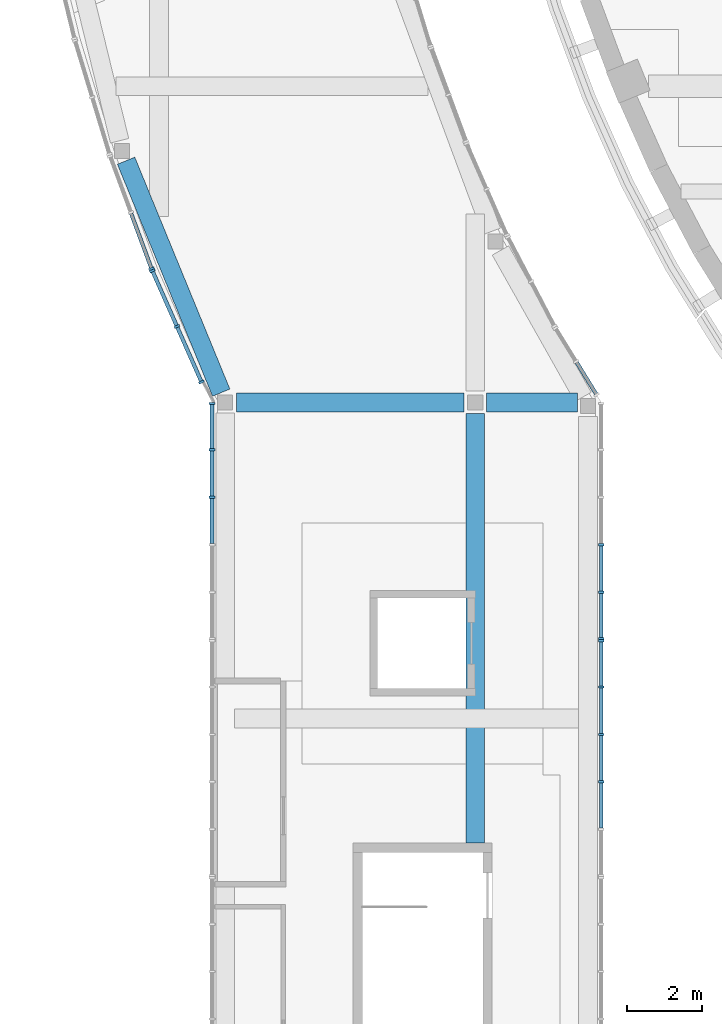
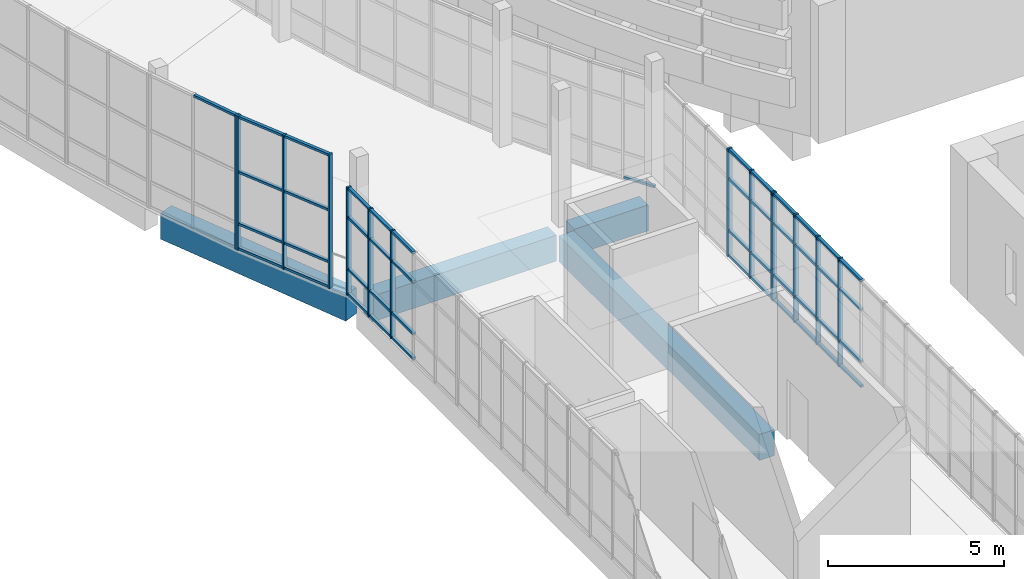
# One storey, part 7 of 103: 60 members, 4 beams, 6 elements without a shape of their own.
"""IFC4 building model written with IfcOpenShell, lengths in metres."""

from ifc_helpers import new_model, si_unit, direction, frame, origin, origin_2d, place, context, subcontext, project, spatial, rectangle, extrude, material, layer, layer_set, material_profile, profile_set, type_object, element, aggregate, save


model = new_model("IFC4")

# Units and contexts
model_context = context("Model", 3, precision=1e-05, world=origin(), true_north=direction((0.0, 1.0)))
body_context = subcontext(model_context, "Body", "Model", "MODEL_VIEW")
ifc_project = project(units=[si_unit("LENGTHUNIT", "METRE"), si_unit("AREAUNIT", "SQUARE_METRE"), si_unit("VOLUMEUNIT", "CUBIC_METRE"), si_unit("PLANEANGLEUNIT", "RADIAN"), si_unit("MASSUNIT", "GRAM", prefix="KILO")], contexts=[model_context])

# Site, building, storey
site_placement = place(None, origin())
site = spatial("IfcSite", under=ifc_project, at=site_placement, CompositionType="ELEMENT")
building_placement = place(site_placement, origin())
building = spatial("IfcBuilding", under=site, at=building_placement, Name="Larchfold Concert Hall", CompositionType="ELEMENT")
storey_placement = place(building_placement, frame((0.0, 0.0, 9.60009765625)))
storey = spatial("IfcBuildingStorey", under=building, at=storey_placement, Name="L02", CompositionType="ELEMENT", Elevation=9.60009765625)

# Curtain wall, member
ifc_material_1 = material(Name="Anodised graphite aluminium curtain wall", Category="aluminium")
ifc_layer = layer(ifc_material_1, 0.14990234375)
ifc_layer_set = layer_set([ifc_layer], Name="Anodised graphite aluminium curtain wall")
curtain_wall_type = type_object("IfcCurtainWallType", Name="Curtain wall WG", PredefinedType="NOTDEFINED", material=ifc_layer_set)
curtain_wall_1_placement = place(storey_placement, origin())
curtain_wall_1 = element("IfcCurtainWall", 1, at=curtain_wall_1_placement, inside=storey, type_object=curtain_wall_type, Name="Curtain wall CW0280", PredefinedType="NOTDEFINED")
ifc_material_2 = material(Name="Anodised graphite aluminium mullion", Category="aluminium")
ifc_material_profile_1 = material_profile(ifc_material_2, rectangle(XDim=0.14990234375, YDim=0.06005859375, at=origin_2d()))
ifc_profile_set_1 = profile_set([ifc_material_profile_1], Name="Anodised graphite aluminium mullion")
member_type_1 = type_object("IfcMemberType", Name="Aluminium mullion 60x150", PredefinedType="MULLION", material=ifc_profile_set_1)
member_1_placement = place(storey_placement, frame((8.80029296875, 62.95068359375, 0.0), z_axis=(0.0, 0.0, 1.0), x_axis=(0.938015232283, 0.346594033425, 0.0)))
member_1 = element("IfcMember", 2, at=member_1_placement, type_object=member_type_1, Name="CW0280 mullion 3", PredefinedType="MULLION", context=body_context, shape_type="SweptSolid", body=[
    extrude(rectangle(XDim=0.14990234375, YDim=0.06005859375, at=origin_2d()), origin(), (0.0, 0.0, 1.0), 4.64990234375),
])

# Curtain wall, members
curtain_wall_2_placement = place(storey_placement, origin())
curtain_wall_2 = element("IfcCurtainWall", 3, at=curtain_wall_2_placement, inside=storey, type_object=curtain_wall_type, Name="Curtain wall CW0281", PredefinedType="NOTDEFINED")
member_2_placement = place(storey_placement, frame((8.822998046875, 62.895263671875, 0.0), z_axis=(0.0, 0.0, 1.0), x_axis=(0.914703196701, 0.404126294549, 0.0)))
member_2 = element("IfcMember", 4, at=member_2_placement, type_object=member_type_1, Name="CW0281 mullion 1", PredefinedType="MULLION", context=body_context, shape_type="SweptSolid", body=[
    extrude(rectangle(XDim=0.14990234375, YDim=0.06005859375, at=origin_2d()), origin(), (0.0, 0.0, 1.0), 4.64990234375),
])
member_3_placement = place(storey_placement, frame((9.475341796875, 61.41845703125, 0.0), z_axis=(0.0, 0.0, 1.0), x_axis=(0.914703196701, 0.404126294549, 0.0)))
member_3 = element("IfcMember", 5, at=member_3_placement, type_object=member_type_1, Name="CW0281 mullion 2", PredefinedType="MULLION", context=body_context, shape_type="SweptSolid", body=[
    extrude(rectangle(XDim=0.14990234375, YDim=0.06005859375, at=origin_2d()), origin(), (0.0, 0.0, 1.0), 4.64990234375),
])
member_4_placement = place(storey_placement, frame((10.127685546875, 59.941650390625, 0.0), z_axis=(0.0, 0.0, 1.0), x_axis=(0.914703196701, 0.404126294549, 0.0)))
member_4 = element("IfcMember", 6, at=member_4_placement, type_object=member_type_1, Name="CW0281 mullion 3", PredefinedType="MULLION", context=body_context, shape_type="SweptSolid", body=[
    extrude(rectangle(XDim=0.14990234375, YDim=0.06005859375, at=origin_2d()), origin(), (0.0, 0.0, 1.0), 4.64990234375),
])

curtain_wall_3_placement = place(storey_placement, origin())
curtain_wall_3 = element("IfcCurtainWall", 7, at=curtain_wall_3_placement, inside=storey, type_object=curtain_wall_type, Name="Curtain wall CW0282", PredefinedType="NOTDEFINED")
member_5_placement = place(storey_placement, frame((10.408447265625, 59.369873046875, 0.0), z_axis=(0.0, 0.0, 1.0), x_axis=(1.0, 0.0, 0.0)))
member_5 = element("IfcMember", 8, at=member_5_placement, type_object=member_type_1, Name="CW0282 mullion 1", PredefinedType="MULLION", context=body_context, shape_type="SweptSolid", body=[
    extrude(rectangle(XDim=0.14990234375, YDim=0.06005859375, at=origin_2d()), origin(), (0.0, 0.0, 1.0), 3.75),
])
member_6_placement = place(storey_placement, frame((10.408447265625, 58.139892578125, 0.0), z_axis=(0.0, 0.0, 1.0), x_axis=(1.0, 0.0, 0.0)))
member_6 = element("IfcMember", 9, at=member_6_placement, type_object=member_type_1, Name="CW0282 mullion 2", PredefinedType="MULLION", context=body_context, shape_type="SweptSolid", body=[
    extrude(rectangle(XDim=0.14990234375, YDim=0.06005859375, at=origin_2d()), origin(), (0.0, 0.0, 1.0), 3.75),
])
member_7_placement = place(storey_placement, frame((10.408447265625, 56.8798828125, 0.0), z_axis=(0.0, 0.0, 1.0), x_axis=(1.0, 0.0, 0.0)))
member_7 = element("IfcMember", 10, at=member_7_placement, type_object=member_type_1, Name="CW0282 mullion 3", PredefinedType="MULLION", context=body_context, shape_type="SweptSolid", body=[
    extrude(rectangle(XDim=0.14990234375, YDim=0.06005859375, at=origin_2d()), origin(), (0.0, 0.0, 1.0), 3.75),
])

curtain_wall_4_placement = place(storey_placement, origin())
curtain_wall_4 = element("IfcCurtainWall", 11, at=curtain_wall_4_placement, inside=storey, type_object=curtain_wall_type, Name="Curtain wall CW0290", PredefinedType="NOTDEFINED")
member_8_placement = place(storey_placement, frame((20.748779296875, 49.31982421875, 0.0), z_axis=(0.0, 0.0, 1.0), x_axis=(-1.0, 0.0, 0.0)))
member_8 = element("IfcMember", 12, at=member_8_placement, type_object=member_type_1, Name="CW0290 mullion 3", PredefinedType="MULLION", context=body_context, shape_type="SweptSolid", body=[
    extrude(rectangle(XDim=0.14990234375, YDim=0.06005859375, at=origin_2d()), origin(), (0.0, 0.0, 1.0), 3.75),
])
member_9_placement = place(storey_placement, frame((20.748779296875, 50.579833984375, 0.0), z_axis=(0.0, 0.0, 1.0), x_axis=(-1.0, 0.0, 0.0)))
member_9 = element("IfcMember", 13, at=member_9_placement, type_object=member_type_1, Name="CW0290 mullion 4", PredefinedType="MULLION", context=body_context, shape_type="SweptSolid", body=[
    extrude(rectangle(XDim=0.14990234375, YDim=0.06005859375, at=origin_2d()), origin(), (0.0, 0.0, 1.0), 3.75),
])
member_10_placement = place(storey_placement, frame((20.748779296875, 51.83984375, 0.0), z_axis=(0.0, 0.0, 1.0), x_axis=(-1.0, 0.0, 0.0)))
member_10 = element("IfcMember", 14, at=member_10_placement, type_object=member_type_1, Name="CW0290 mullion 5", PredefinedType="MULLION", context=body_context, shape_type="SweptSolid", body=[
    extrude(rectangle(XDim=0.14990234375, YDim=0.06005859375, at=origin_2d()), origin(), (0.0, 0.0, 1.0), 3.75),
])
member_11_placement = place(storey_placement, frame((20.748779296875, 53.06982421875, 0.0), z_axis=(0.0, 0.0, 1.0), x_axis=(-1.0, 0.0, 0.0)))
member_11 = element("IfcMember", 15, at=member_11_placement, type_object=member_type_1, Name="CW0290 mullion 6", PredefinedType="MULLION", context=body_context, shape_type="SweptSolid", body=[
    extrude(rectangle(XDim=0.14990234375, YDim=0.06005859375, at=origin_2d()), origin(), (0.0, 0.0, 1.0), 3.75),
])

curtain_wall_5_placement = place(storey_placement, origin())
curtain_wall_5 = element("IfcCurtainWall", 16, at=curtain_wall_5_placement, inside=storey, type_object=curtain_wall_type, Name="Curtain wall CW0291", PredefinedType="NOTDEFINED")
member_12_placement = place(storey_placement, frame((20.748779296875, 53.1298828125, 0.0), z_axis=(0.0, 0.0, 1.0), x_axis=(-1.0, 0.0, 0.0)))
member_12 = element("IfcMember", 17, at=member_12_placement, type_object=member_type_1, Name="CW0291 mullion 1", PredefinedType="MULLION", context=body_context, shape_type="SweptSolid", body=[
    extrude(rectangle(XDim=0.14990234375, YDim=0.06005859375, at=origin_2d()), origin(), (0.0, 0.0, 1.0), 3.75),
])
member_13_placement = place(storey_placement, frame((20.748779296875, 54.35986328125, 0.0), z_axis=(0.0, 0.0, 1.0), x_axis=(-1.0, 0.0, 0.0)))
member_13 = element("IfcMember", 18, at=member_13_placement, type_object=member_type_1, Name="CW0291 mullion 2", PredefinedType="MULLION", context=body_context, shape_type="SweptSolid", body=[
    extrude(rectangle(XDim=0.14990234375, YDim=0.06005859375, at=origin_2d()), origin(), (0.0, 0.0, 1.0), 3.75),
])
member_14_placement = place(storey_placement, frame((20.748779296875, 55.619873046875, 0.0), z_axis=(0.0, 0.0, 1.0), x_axis=(-1.0, 0.0, 0.0)))
member_14 = element("IfcMember", 19, at=member_14_placement, type_object=member_type_1, Name="CW0291 mullion 3", PredefinedType="MULLION", context=body_context, shape_type="SweptSolid", body=[
    extrude(rectangle(XDim=0.14990234375, YDim=0.06005859375, at=origin_2d()), origin(), (0.0, 0.0, 1.0), 3.75),
])

# Curtain wall, member
curtain_wall_6_placement = place(storey_placement, origin())
curtain_wall_6 = element("IfcCurtainWall", 20, at=curtain_wall_6_placement, inside=storey, type_object=curtain_wall_type, Name="Curtain wall CW0214", PredefinedType="NOTDEFINED")
ifc_material_3 = material(Name="Anodised graphite aluminium transom", Category="aluminium")
ifc_material_profile_2 = material_profile(ifc_material_3, rectangle(XDim=0.10009765625, YDim=0.080078125, at=origin_2d()))
ifc_profile_set_2 = profile_set([ifc_material_profile_2], Name="Anodised graphite aluminium transom")
member_type_2 = type_object("IfcMemberType", Name="Aluminium transom 80x100", PredefinedType="USERDEFINED", material=ifc_profile_set_2)
member_15_placement = place(storey_placement, frame((20.60986328125, 59.625732421875, 0.0400390625), z_axis=(-0.524014127318, 0.851709571609, 0.0), x_axis=(-0.851709571609, -0.524014127318, 0.0)))
member_15 = element("IfcMember", 21, at=member_15_placement, type_object=member_type_2, Name="CW0214 transom 1.1", ObjectType="TRANSOM", PredefinedType="USERDEFINED", context=body_context, shape_type="SweptSolid", body=[
    extrude(rectangle(XDim=0.10009765625, YDim=0.080078125, at=origin_2d()), origin(), (0.0, 0.0, 1.0), 0.981201171875),
])
aggregate(curtain_wall_6, [member_15])

# Member
member_16_placement = place(storey_placement, frame((8.2587890625, 64.416748046875, 4.60986328125), z_axis=(0.34659834875, -0.938013637771, 0.0), x_axis=(0.938013637771, 0.34659834875, 0.0)))
member_16 = element("IfcMember", 22, at=member_16_placement, type_object=member_type_2, Name="CW0280 transom 2.4", ObjectType="TRANSOM", PredefinedType="USERDEFINED", context=body_context, shape_type="SweptSolid", body=[
    extrude(rectangle(XDim=0.10009765625, YDim=0.080078125, at=origin_2d()), origin(), (0.0, 0.0, 1.0), 1.53271484375),
])

aggregate(curtain_wall_1, [member_1, member_16])

member_17_placement = place(storey_placement, frame((8.8349609375, 62.86767578125, 0.0400390625), z_axis=(0.404111897501, -0.914709557345, 0.0), x_axis=(0.914709557345, 0.404111897501, 0.0)))
member_17 = element("IfcMember", 23, at=member_17_placement, type_object=member_type_2, Name="CW0281 transom 1.1", ObjectType="TRANSOM", PredefinedType="USERDEFINED", context=body_context, shape_type="SweptSolid", body=[
    extrude(rectangle(XDim=0.10009765625, YDim=0.080078125, at=origin_2d()), origin(), (0.0, 0.0, 1.0), 1.554443359375),
])

member_18_placement = place(storey_placement, frame((8.8349609375, 62.86767578125, 0.89990234375), z_axis=(0.404111897501, -0.914709557345, 0.0), x_axis=(0.914709557345, 0.404111897501, 0.0)))
member_18 = element("IfcMember", 24, at=member_18_placement, type_object=member_type_2, Name="CW0281 transom 1.2", ObjectType="TRANSOM", PredefinedType="USERDEFINED", context=body_context, shape_type="SweptSolid", body=[
    extrude(rectangle(XDim=0.10009765625, YDim=0.080078125, at=origin_2d()), origin(), (0.0, 0.0, 1.0), 1.554443359375),
])

member_19_placement = place(storey_placement, frame((8.8349609375, 62.86767578125, 2.699951171875), z_axis=(0.404111897501, -0.914709557345, 0.0), x_axis=(0.914709557345, 0.404111897501, 0.0)))
member_19 = element("IfcMember", 25, at=member_19_placement, type_object=member_type_2, Name="CW0281 transom 1.3", ObjectType="TRANSOM", PredefinedType="USERDEFINED", context=body_context, shape_type="SweptSolid", body=[
    extrude(rectangle(XDim=0.10009765625, YDim=0.080078125, at=origin_2d()), origin(), (0.0, 0.0, 1.0), 1.554443359375),
])

member_20_placement = place(storey_placement, frame((8.8349609375, 62.86767578125, 4.60986328125), z_axis=(0.404111897501, -0.914709557345, 0.0), x_axis=(0.914709557345, 0.404111897501, 0.0)))
member_20 = element("IfcMember", 26, at=member_20_placement, type_object=member_type_2, Name="CW0281 transom 1.4", ObjectType="TRANSOM", PredefinedType="USERDEFINED", context=body_context, shape_type="SweptSolid", body=[
    extrude(rectangle(XDim=0.10009765625, YDim=0.080078125, at=origin_2d()), origin(), (0.0, 0.0, 1.0), 1.554443359375),
])

member_21_placement = place(storey_placement, frame((9.487548828125, 61.39111328125, 0.0400390625), z_axis=(0.404111897501, -0.914709557345, 0.0), x_axis=(0.914709557345, 0.404111897501, 0.0)))
member_21 = element("IfcMember", 27, at=member_21_placement, type_object=member_type_2, Name="CW0281 transom 2.1", ObjectType="TRANSOM", PredefinedType="USERDEFINED", context=body_context, shape_type="SweptSolid", body=[
    extrude(rectangle(XDim=0.10009765625, YDim=0.080078125, at=origin_2d()), origin(), (0.0, 0.0, 1.0), 1.554443359375),
])

member_22_placement = place(storey_placement, frame((9.487548828125, 61.39111328125, 0.89990234375), z_axis=(0.404111897501, -0.914709557345, 0.0), x_axis=(0.914709557345, 0.404111897501, 0.0)))
member_22 = element("IfcMember", 28, at=member_22_placement, type_object=member_type_2, Name="CW0281 transom 2.2", ObjectType="TRANSOM", PredefinedType="USERDEFINED", context=body_context, shape_type="SweptSolid", body=[
    extrude(rectangle(XDim=0.10009765625, YDim=0.080078125, at=origin_2d()), origin(), (0.0, 0.0, 1.0), 1.554443359375),
])

member_23_placement = place(storey_placement, frame((9.487548828125, 61.39111328125, 2.699951171875), z_axis=(0.404111897501, -0.914709557345, 0.0), x_axis=(0.914709557345, 0.404111897501, 0.0)))
member_23 = element("IfcMember", 29, at=member_23_placement, type_object=member_type_2, Name="CW0281 transom 2.3", ObjectType="TRANSOM", PredefinedType="USERDEFINED", context=body_context, shape_type="SweptSolid", body=[
    extrude(rectangle(XDim=0.10009765625, YDim=0.080078125, at=origin_2d()), origin(), (0.0, 0.0, 1.0), 1.554443359375),
])

member_24_placement = place(storey_placement, frame((9.487548828125, 61.39111328125, 4.60986328125), z_axis=(0.404111897501, -0.914709557345, 0.0), x_axis=(0.914709557345, 0.404111897501, 0.0)))
member_24 = element("IfcMember", 30, at=member_24_placement, type_object=member_type_2, Name="CW0281 transom 2.4", ObjectType="TRANSOM", PredefinedType="USERDEFINED", context=body_context, shape_type="SweptSolid", body=[
    extrude(rectangle(XDim=0.10009765625, YDim=0.080078125, at=origin_2d()), origin(), (0.0, 0.0, 1.0), 1.554443359375),
])

aggregate(curtain_wall_2, [member_2, member_3, member_4, member_17, member_18, member_19, member_20, member_21, member_22, member_23, member_24])

member_25_placement = place(storey_placement, frame((10.408447265625, 59.33984375, 0.0400390625), z_axis=(0.0, -1.0, 0.0), x_axis=(1.0, 0.0, 0.0)))
member_25 = element("IfcMember", 31, at=member_25_placement, type_object=member_type_2, Name="CW0282 transom 1.1", ObjectType="TRANSOM", PredefinedType="USERDEFINED", context=body_context, shape_type="SweptSolid", body=[
    extrude(rectangle(XDim=0.10009765625, YDim=0.080078125, at=origin_2d()), origin(), (0.0, 0.0, 1.0), 1.169921875),
])

member_26_placement = place(storey_placement, frame((10.408447265625, 59.33984375, 0.89990234375), z_axis=(0.0, -1.0, 0.0), x_axis=(1.0, 0.0, 0.0)))
member_26 = element("IfcMember", 32, at=member_26_placement, type_object=member_type_2, Name="CW0282 transom 1.2", ObjectType="TRANSOM", PredefinedType="USERDEFINED", context=body_context, shape_type="SweptSolid", body=[
    extrude(rectangle(XDim=0.10009765625, YDim=0.080078125, at=origin_2d()), origin(), (0.0, 0.0, 1.0), 1.169921875),
])

member_27_placement = place(storey_placement, frame((10.408447265625, 59.33984375, 2.699951171875), z_axis=(0.0, -1.0, 0.0), x_axis=(1.0, 0.0, 0.0)))
member_27 = element("IfcMember", 33, at=member_27_placement, type_object=member_type_2, Name="CW0282 transom 1.3", ObjectType="TRANSOM", PredefinedType="USERDEFINED", context=body_context, shape_type="SweptSolid", body=[
    extrude(rectangle(XDim=0.10009765625, YDim=0.080078125, at=origin_2d()), origin(), (0.0, 0.0, 1.0), 1.169921875),
])

member_28_placement = place(storey_placement, frame((10.408447265625, 59.33984375, 3.7099609375), z_axis=(0.0, -1.0, 0.0), x_axis=(1.0, 0.0, 0.0)))
member_28 = element("IfcMember", 34, at=member_28_placement, type_object=member_type_2, Name="CW0282 transom 1.4", ObjectType="TRANSOM", PredefinedType="USERDEFINED", context=body_context, shape_type="SweptSolid", body=[
    extrude(rectangle(XDim=0.10009765625, YDim=0.080078125, at=origin_2d()), origin(), (0.0, 0.0, 1.0), 1.169921875),
])

member_29_placement = place(storey_placement, frame((10.408447265625, 58.10986328125, 0.0400390625), z_axis=(0.0, -1.0, 0.0), x_axis=(1.0, 0.0, 0.0)))
member_29 = element("IfcMember", 35, at=member_29_placement, type_object=member_type_2, Name="CW0282 transom 2.1", ObjectType="TRANSOM", PredefinedType="USERDEFINED", context=body_context, shape_type="SweptSolid", body=[
    extrude(rectangle(XDim=0.10009765625, YDim=0.080078125, at=origin_2d()), origin(), (0.0, 0.0, 1.0), 1.199951171875),
])

member_30_placement = place(storey_placement, frame((10.408447265625, 58.10986328125, 0.89990234375), z_axis=(0.0, -1.0, 0.0), x_axis=(1.0, 0.0, 0.0)))
member_30 = element("IfcMember", 36, at=member_30_placement, type_object=member_type_2, Name="CW0282 transom 2.2", ObjectType="TRANSOM", PredefinedType="USERDEFINED", context=body_context, shape_type="SweptSolid", body=[
    extrude(rectangle(XDim=0.10009765625, YDim=0.080078125, at=origin_2d()), origin(), (0.0, 0.0, 1.0), 1.199951171875),
])

member_31_placement = place(storey_placement, frame((10.408447265625, 58.10986328125, 2.699951171875), z_axis=(0.0, -1.0, 0.0), x_axis=(1.0, 0.0, 0.0)))
member_31 = element("IfcMember", 37, at=member_31_placement, type_object=member_type_2, Name="CW0282 transom 2.3", ObjectType="TRANSOM", PredefinedType="USERDEFINED", context=body_context, shape_type="SweptSolid", body=[
    extrude(rectangle(XDim=0.10009765625, YDim=0.080078125, at=origin_2d()), origin(), (0.0, 0.0, 1.0), 1.199951171875),
])

member_32_placement = place(storey_placement, frame((10.408447265625, 58.10986328125, 3.7099609375), z_axis=(0.0, -1.0, 0.0), x_axis=(1.0, 0.0, 0.0)))
member_32 = element("IfcMember", 38, at=member_32_placement, type_object=member_type_2, Name="CW0282 transom 2.4", ObjectType="TRANSOM", PredefinedType="USERDEFINED", context=body_context, shape_type="SweptSolid", body=[
    extrude(rectangle(XDim=0.10009765625, YDim=0.080078125, at=origin_2d()), origin(), (0.0, 0.0, 1.0), 1.199951171875),
])

member_33_placement = place(storey_placement, frame((10.408447265625, 56.849853515625, 0.0400390625), z_axis=(0.0, -1.0, 0.0), x_axis=(1.0, 0.0, 0.0)))
member_33 = element("IfcMember", 39, at=member_33_placement, type_object=member_type_2, Name="CW0282 transom 3.1", ObjectType="TRANSOM", PredefinedType="USERDEFINED", context=body_context, shape_type="SweptSolid", body=[
    extrude(rectangle(XDim=0.10009765625, YDim=0.080078125, at=origin_2d()), origin(), (0.0, 0.0, 1.0), 1.199951171875),
])

member_34_placement = place(storey_placement, frame((10.408447265625, 56.849853515625, 0.89990234375), z_axis=(0.0, -1.0, 0.0), x_axis=(1.0, 0.0, 0.0)))
member_34 = element("IfcMember", 40, at=member_34_placement, type_object=member_type_2, Name="CW0282 transom 3.2", ObjectType="TRANSOM", PredefinedType="USERDEFINED", context=body_context, shape_type="SweptSolid", body=[
    extrude(rectangle(XDim=0.10009765625, YDim=0.080078125, at=origin_2d()), origin(), (0.0, 0.0, 1.0), 1.199951171875),
])

member_35_placement = place(storey_placement, frame((10.408447265625, 56.849853515625, 2.699951171875), z_axis=(0.0, -1.0, 0.0), x_axis=(1.0, 0.0, 0.0)))
member_35 = element("IfcMember", 41, at=member_35_placement, type_object=member_type_2, Name="CW0282 transom 3.3", ObjectType="TRANSOM", PredefinedType="USERDEFINED", context=body_context, shape_type="SweptSolid", body=[
    extrude(rectangle(XDim=0.10009765625, YDim=0.080078125, at=origin_2d()), origin(), (0.0, 0.0, 1.0), 1.199951171875),
])

member_36_placement = place(storey_placement, frame((10.408447265625, 56.849853515625, 3.7099609375), z_axis=(0.0, -1.0, 0.0), x_axis=(1.0, 0.0, 0.0)))
member_36 = element("IfcMember", 42, at=member_36_placement, type_object=member_type_2, Name="CW0282 transom 3.4", ObjectType="TRANSOM", PredefinedType="USERDEFINED", context=body_context, shape_type="SweptSolid", body=[
    extrude(rectangle(XDim=0.10009765625, YDim=0.080078125, at=origin_2d()), origin(), (0.0, 0.0, 1.0), 1.199951171875),
])

aggregate(curtain_wall_3, [member_5, member_6, member_7, member_25, member_26, member_27, member_28, member_29, member_30, member_31, member_32, member_33, member_34, member_35, member_36])

member_37_placement = place(storey_placement, frame((20.748779296875, 48.08984375, 0.0400390625), z_axis=(0.0, 1.0, 0.0), x_axis=(-1.0, 0.0, 0.0)))
member_37 = element("IfcMember", 43, at=member_37_placement, type_object=member_type_2, Name="CW0290 transom 2.1", ObjectType="TRANSOM", PredefinedType="USERDEFINED", context=body_context, shape_type="SweptSolid", body=[
    extrude(rectangle(XDim=0.10009765625, YDim=0.080078125, at=origin_2d()), origin(), (0.0, 0.0, 1.0), 1.199951171875),
])

member_38_placement = place(storey_placement, frame((20.748779296875, 48.08984375, 0.89990234375), z_axis=(0.0, 1.0, 0.0), x_axis=(-1.0, 0.0, 0.0)))
member_38 = element("IfcMember", 44, at=member_38_placement, type_object=member_type_2, Name="CW0290 transom 2.2", ObjectType="TRANSOM", PredefinedType="USERDEFINED", context=body_context, shape_type="SweptSolid", body=[
    extrude(rectangle(XDim=0.10009765625, YDim=0.080078125, at=origin_2d()), origin(), (0.0, 0.0, 1.0), 1.199951171875),
])

member_39_placement = place(storey_placement, frame((20.748779296875, 48.08984375, 2.699951171875), z_axis=(0.0, 1.0, 0.0), x_axis=(-1.0, 0.0, 0.0)))
member_39 = element("IfcMember", 45, at=member_39_placement, type_object=member_type_2, Name="CW0290 transom 2.3", ObjectType="TRANSOM", PredefinedType="USERDEFINED", context=body_context, shape_type="SweptSolid", body=[
    extrude(rectangle(XDim=0.10009765625, YDim=0.080078125, at=origin_2d()), origin(), (0.0, 0.0, 1.0), 1.199951171875),
])

member_40_placement = place(storey_placement, frame((20.748779296875, 48.08984375, 3.7099609375), z_axis=(0.0, 1.0, 0.0), x_axis=(-1.0, 0.0, 0.0)))
member_40 = element("IfcMember", 46, at=member_40_placement, type_object=member_type_2, Name="CW0290 transom 2.4", ObjectType="TRANSOM", PredefinedType="USERDEFINED", context=body_context, shape_type="SweptSolid", body=[
    extrude(rectangle(XDim=0.10009765625, YDim=0.080078125, at=origin_2d()), origin(), (0.0, 0.0, 1.0), 1.199951171875),
])

member_41_placement = place(storey_placement, frame((20.748779296875, 49.349853515625, 0.0400390625), z_axis=(0.0, 1.0, 0.0), x_axis=(-1.0, 0.0, 0.0)))
member_41 = element("IfcMember", 47, at=member_41_placement, type_object=member_type_2, Name="CW0290 transom 3.1", ObjectType="TRANSOM", PredefinedType="USERDEFINED", context=body_context, shape_type="SweptSolid", body=[
    extrude(rectangle(XDim=0.10009765625, YDim=0.080078125, at=origin_2d()), origin(), (0.0, 0.0, 1.0), 1.199951171875),
])

member_42_placement = place(storey_placement, frame((20.748779296875, 49.349853515625, 0.89990234375), z_axis=(0.0, 1.0, 0.0), x_axis=(-1.0, 0.0, 0.0)))
member_42 = element("IfcMember", 48, at=member_42_placement, type_object=member_type_2, Name="CW0290 transom 3.2", ObjectType="TRANSOM", PredefinedType="USERDEFINED", context=body_context, shape_type="SweptSolid", body=[
    extrude(rectangle(XDim=0.10009765625, YDim=0.080078125, at=origin_2d()), origin(), (0.0, 0.0, 1.0), 1.199951171875),
])

member_43_placement = place(storey_placement, frame((20.748779296875, 49.349853515625, 2.699951171875), z_axis=(0.0, 1.0, 0.0), x_axis=(-1.0, 0.0, 0.0)))
member_43 = element("IfcMember", 49, at=member_43_placement, type_object=member_type_2, Name="CW0290 transom 3.3", ObjectType="TRANSOM", PredefinedType="USERDEFINED", context=body_context, shape_type="SweptSolid", body=[
    extrude(rectangle(XDim=0.10009765625, YDim=0.080078125, at=origin_2d()), origin(), (0.0, 0.0, 1.0), 1.199951171875),
])

member_44_placement = place(storey_placement, frame((20.748779296875, 49.349853515625, 3.7099609375), z_axis=(0.0, 1.0, 0.0), x_axis=(-1.0, 0.0, 0.0)))
member_44 = element("IfcMember", 50, at=member_44_placement, type_object=member_type_2, Name="CW0290 transom 3.4", ObjectType="TRANSOM", PredefinedType="USERDEFINED", context=body_context, shape_type="SweptSolid", body=[
    extrude(rectangle(XDim=0.10009765625, YDim=0.080078125, at=origin_2d()), origin(), (0.0, 0.0, 1.0), 1.199951171875),
])

member_45_placement = place(storey_placement, frame((20.748779296875, 50.60986328125, 0.0400390625), z_axis=(0.0, 1.0, 0.0), x_axis=(-1.0, 0.0, 0.0)))
member_45 = element("IfcMember", 51, at=member_45_placement, type_object=member_type_2, Name="CW0290 transom 4.1", ObjectType="TRANSOM", PredefinedType="USERDEFINED", context=body_context, shape_type="SweptSolid", body=[
    extrude(rectangle(XDim=0.10009765625, YDim=0.080078125, at=origin_2d()), origin(), (0.0, 0.0, 1.0), 1.199951171875),
])

member_46_placement = place(storey_placement, frame((20.748779296875, 50.60986328125, 0.89990234375), z_axis=(0.0, 1.0, 0.0), x_axis=(-1.0, 0.0, 0.0)))
member_46 = element("IfcMember", 52, at=member_46_placement, type_object=member_type_2, Name="CW0290 transom 4.2", ObjectType="TRANSOM", PredefinedType="USERDEFINED", context=body_context, shape_type="SweptSolid", body=[
    extrude(rectangle(XDim=0.10009765625, YDim=0.080078125, at=origin_2d()), origin(), (0.0, 0.0, 1.0), 1.199951171875),
])

member_47_placement = place(storey_placement, frame((20.748779296875, 50.60986328125, 2.699951171875), z_axis=(0.0, 1.0, 0.0), x_axis=(-1.0, 0.0, 0.0)))
member_47 = element("IfcMember", 53, at=member_47_placement, type_object=member_type_2, Name="CW0290 transom 4.3", ObjectType="TRANSOM", PredefinedType="USERDEFINED", context=body_context, shape_type="SweptSolid", body=[
    extrude(rectangle(XDim=0.10009765625, YDim=0.080078125, at=origin_2d()), origin(), (0.0, 0.0, 1.0), 1.199951171875),
])

member_48_placement = place(storey_placement, frame((20.748779296875, 50.60986328125, 3.7099609375), z_axis=(0.0, 1.0, 0.0), x_axis=(-1.0, 0.0, 0.0)))
member_48 = element("IfcMember", 54, at=member_48_placement, type_object=member_type_2, Name="CW0290 transom 4.4", ObjectType="TRANSOM", PredefinedType="USERDEFINED", context=body_context, shape_type="SweptSolid", body=[
    extrude(rectangle(XDim=0.10009765625, YDim=0.080078125, at=origin_2d()), origin(), (0.0, 0.0, 1.0), 1.199951171875),
])

member_49_placement = place(storey_placement, frame((20.748779296875, 51.869873046875, 0.0400390625), z_axis=(0.0, 1.0, 0.0), x_axis=(-1.0, 0.0, 0.0)))
member_49 = element("IfcMember", 55, at=member_49_placement, type_object=member_type_2, Name="CW0290 transom 5.1", ObjectType="TRANSOM", PredefinedType="USERDEFINED", context=body_context, shape_type="SweptSolid", body=[
    extrude(rectangle(XDim=0.10009765625, YDim=0.080078125, at=origin_2d()), origin(), (0.0, 0.0, 1.0), 1.169921875),
])

member_50_placement = place(storey_placement, frame((20.748779296875, 51.869873046875, 0.89990234375), z_axis=(0.0, 1.0, 0.0), x_axis=(-1.0, 0.0, 0.0)))
member_50 = element("IfcMember", 56, at=member_50_placement, type_object=member_type_2, Name="CW0290 transom 5.2", ObjectType="TRANSOM", PredefinedType="USERDEFINED", context=body_context, shape_type="SweptSolid", body=[
    extrude(rectangle(XDim=0.10009765625, YDim=0.080078125, at=origin_2d()), origin(), (0.0, 0.0, 1.0), 1.169921875),
])

member_51_placement = place(storey_placement, frame((20.748779296875, 51.869873046875, 2.699951171875), z_axis=(0.0, 1.0, 0.0), x_axis=(-1.0, 0.0, 0.0)))
member_51 = element("IfcMember", 57, at=member_51_placement, type_object=member_type_2, Name="CW0290 transom 5.3", ObjectType="TRANSOM", PredefinedType="USERDEFINED", context=body_context, shape_type="SweptSolid", body=[
    extrude(rectangle(XDim=0.10009765625, YDim=0.080078125, at=origin_2d()), origin(), (0.0, 0.0, 1.0), 1.169921875),
])

member_52_placement = place(storey_placement, frame((20.748779296875, 51.869873046875, 3.7099609375), z_axis=(0.0, 1.0, 0.0), x_axis=(-1.0, 0.0, 0.0)))
member_52 = element("IfcMember", 58, at=member_52_placement, type_object=member_type_2, Name="CW0290 transom 5.4", ObjectType="TRANSOM", PredefinedType="USERDEFINED", context=body_context, shape_type="SweptSolid", body=[
    extrude(rectangle(XDim=0.10009765625, YDim=0.080078125, at=origin_2d()), origin(), (0.0, 0.0, 1.0), 1.169921875),
])

aggregate(curtain_wall_4, [member_8, member_9, member_10, member_11, member_37, member_38, member_39, member_40, member_41, member_42, member_43, member_44, member_45, member_46, member_47, member_48, member_49, member_50, member_51, member_52])

member_53_placement = place(storey_placement, frame((20.748779296875, 53.159912109375, 0.0400390625), z_axis=(0.0, 1.0, 0.0), x_axis=(-1.0, 0.0, 0.0)))
member_53 = element("IfcMember", 59, at=member_53_placement, type_object=member_type_2, Name="CW0291 transom 1.1", ObjectType="TRANSOM", PredefinedType="USERDEFINED", context=body_context, shape_type="SweptSolid", body=[
    extrude(rectangle(XDim=0.10009765625, YDim=0.080078125, at=origin_2d()), origin(), (0.0, 0.0, 1.0), 1.169921875),
])

member_54_placement = place(storey_placement, frame((20.748779296875, 53.159912109375, 0.89990234375), z_axis=(0.0, 1.0, 0.0), x_axis=(-1.0, 0.0, 0.0)))
member_54 = element("IfcMember", 60, at=member_54_placement, type_object=member_type_2, Name="CW0291 transom 1.2", ObjectType="TRANSOM", PredefinedType="USERDEFINED", context=body_context, shape_type="SweptSolid", body=[
    extrude(rectangle(XDim=0.10009765625, YDim=0.080078125, at=origin_2d()), origin(), (0.0, 0.0, 1.0), 1.169921875),
])

member_55_placement = place(storey_placement, frame((20.748779296875, 53.159912109375, 2.699951171875), z_axis=(0.0, 1.0, 0.0), x_axis=(-1.0, 0.0, 0.0)))
member_55 = element("IfcMember", 61, at=member_55_placement, type_object=member_type_2, Name="CW0291 transom 1.3", ObjectType="TRANSOM", PredefinedType="USERDEFINED", context=body_context, shape_type="SweptSolid", body=[
    extrude(rectangle(XDim=0.10009765625, YDim=0.080078125, at=origin_2d()), origin(), (0.0, 0.0, 1.0), 1.169921875),
])

member_56_placement = place(storey_placement, frame((20.748779296875, 53.159912109375, 3.7099609375), z_axis=(0.0, 1.0, 0.0), x_axis=(-1.0, 0.0, 0.0)))
member_56 = element("IfcMember", 62, at=member_56_placement, type_object=member_type_2, Name="CW0291 transom 1.4", ObjectType="TRANSOM", PredefinedType="USERDEFINED", context=body_context, shape_type="SweptSolid", body=[
    extrude(rectangle(XDim=0.10009765625, YDim=0.080078125, at=origin_2d()), origin(), (0.0, 0.0, 1.0), 1.169921875),
])

member_57_placement = place(storey_placement, frame((20.748779296875, 54.389892578125, 0.0400390625), z_axis=(0.0, 1.0, 0.0), x_axis=(-1.0, 0.0, 0.0)))
member_57 = element("IfcMember", 63, at=member_57_placement, type_object=member_type_2, Name="CW0291 transom 2.1", ObjectType="TRANSOM", PredefinedType="USERDEFINED", context=body_context, shape_type="SweptSolid", body=[
    extrude(rectangle(XDim=0.10009765625, YDim=0.080078125, at=origin_2d()), origin(), (0.0, 0.0, 1.0), 1.199951171875),
])

member_58_placement = place(storey_placement, frame((20.748779296875, 54.389892578125, 0.89990234375), z_axis=(0.0, 1.0, 0.0), x_axis=(-1.0, 0.0, 0.0)))
member_58 = element("IfcMember", 64, at=member_58_placement, type_object=member_type_2, Name="CW0291 transom 2.2", ObjectType="TRANSOM", PredefinedType="USERDEFINED", context=body_context, shape_type="SweptSolid", body=[
    extrude(rectangle(XDim=0.10009765625, YDim=0.080078125, at=origin_2d()), origin(), (0.0, 0.0, 1.0), 1.199951171875),
])

member_59_placement = place(storey_placement, frame((20.748779296875, 54.389892578125, 2.699951171875), z_axis=(0.0, 1.0, 0.0), x_axis=(-1.0, 0.0, 0.0)))
member_59 = element("IfcMember", 65, at=member_59_placement, type_object=member_type_2, Name="CW0291 transom 2.3", ObjectType="TRANSOM", PredefinedType="USERDEFINED", context=body_context, shape_type="SweptSolid", body=[
    extrude(rectangle(XDim=0.10009765625, YDim=0.080078125, at=origin_2d()), origin(), (0.0, 0.0, 1.0), 1.199951171875),
])

member_60_placement = place(storey_placement, frame((20.748779296875, 54.389892578125, 3.7099609375), z_axis=(0.0, 1.0, 0.0), x_axis=(-1.0, 0.0, 0.0)))
member_60 = element("IfcMember", 66, at=member_60_placement, type_object=member_type_2, Name="CW0291 transom 2.4", ObjectType="TRANSOM", PredefinedType="USERDEFINED", context=body_context, shape_type="SweptSolid", body=[
    extrude(rectangle(XDim=0.10009765625, YDim=0.080078125, at=origin_2d()), origin(), (0.0, 0.0, 1.0), 1.199951171875),
])

aggregate(curtain_wall_5, [member_12, member_13, member_14, member_53, member_54, member_55, member_56, member_57, member_58, member_59, member_60])

# Beams
ifc_material_4 = material(Name="Concrete C35/45", Category="concrete")
ifc_material_profile_3 = material_profile(ifc_material_4, rectangle(XDim=0.5, YDim=0.89990234375, at=origin_2d()))
ifc_profile_set_3 = profile_set([ifc_material_profile_3], Name="Concrete C35/45")
beam_type = type_object("IfcBeamType", Name="Beam RC 500x900", PredefinedType="BEAM", material=ifc_profile_set_3)
beam_1_placement = place(storey_placement, frame((10.651611328125, 59.658935546875, -0.60009765625), z_axis=(-0.379517734684, 0.92518446218, 0.0), x_axis=(-0.92518446218, -0.379517734684, 0.0)))
element("IfcBeam", 67, at=beam_1_placement, inside=storey, type_object=beam_type, Name="Beam B1939", PredefinedType="BEAM", context=body_context, shape_type="SweptSolid", body=[
    extrude(rectangle(XDim=0.5, YDim=0.89990234375, at=origin_2d()), origin(), (0.0, 0.0, 1.0), 6.659423828125),
])
beam_2_placement = place(storey_placement, frame((17.39990234375, 47.699951171875, -0.60009765625), z_axis=(0.0, 1.0, 0.0), x_axis=(-1.0, 0.0, 0.0)))
element("IfcBeam", 68, at=beam_2_placement, inside=storey, type_object=beam_type, Name="Beam B1967", PredefinedType="BEAM", context=body_context, shape_type="SweptSolid", body=[
    extrude(rectangle(XDim=0.5, YDim=0.89990234375, at=origin_2d()), origin(), (0.0, 0.0, 1.0), 11.4013671875),
])
beam_3_placement = place(storey_placement, frame((11.056640625, 59.39990234375, -0.60009765625), z_axis=(1.0, 0.0, 0.0), x_axis=(0.0, 1.0, 0.0)))
element("IfcBeam", 69, at=beam_3_placement, inside=storey, type_object=beam_type, Name="Beam B1986", PredefinedType="BEAM", context=body_context, shape_type="SweptSolid", body=[
    extrude(rectangle(XDim=0.5, YDim=0.89990234375, at=origin_2d()), origin(), (0.0, 0.0, 1.0), 6.044677734375),
])
beam_4_placement = place(storey_placement, frame((17.69873046875, 59.39990234375, -0.60009765625), z_axis=(1.0, 0.0, 0.0), x_axis=(0.0, 1.0, 0.0)))
element("IfcBeam", 70, at=beam_4_placement, inside=storey, type_object=beam_type, Name="Beam B1987", PredefinedType="BEAM", context=body_context, shape_type="SweptSolid", body=[
    extrude(rectangle(XDim=0.5, YDim=0.89990234375, at=origin_2d()), origin(), (0.0, 0.0, 1.0), 2.41748046875),
])

save(model, "model.ifc")
